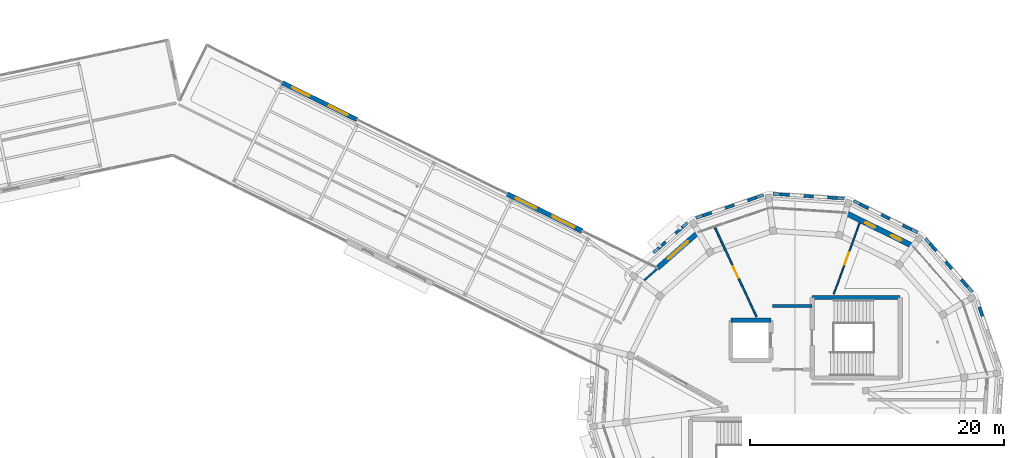
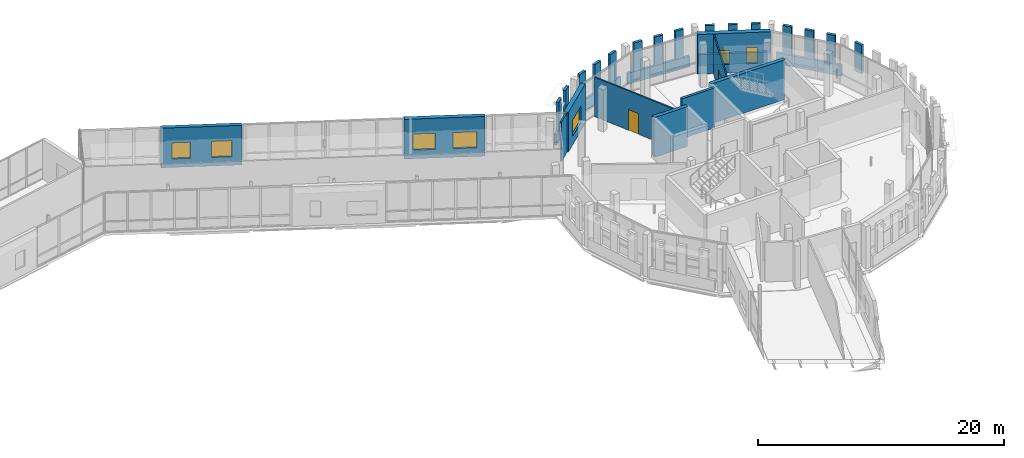
# One storey, part 103 of 125: 30 walls, 7 windows, 2 doors, 9 openings.
"""IFC4 building model written with IfcOpenShell, lengths in metres."""

import ifcopenshell
import ifcopenshell.guid

model = None  # the IFC model being written
_history = None  # IfcOwnerHistory: only IFC2X3 demands one
_inside = {}  # id of a spatial element -> (the spatial element, [elements in it])
_under = {}  # id of a project, library or spatial element -> (it, [spatial elements below it])
_declared = {}  # id of a project -> (the project, [libraries it declares])
_typed = {}  # id of a type object -> (the type object, [elements of that type])
_made_of = {}  # id of a material, layer set ... -> (it, [elements and type objects made of it])


def new_model(schema):
    """Start an empty IFC model of exactly this schema.

    Asked for "IFC4X3", IfcOpenShell would pick the latest addendum, in which some entities
    have other attributes; the version numbers below select the first issue.
    IFC2X3 requires an IfcOwnerHistory on every rooted entity: one is made here for all.
    """
    global model, _history
    if schema == "IFC4X3":
        model = ifcopenshell.file(schema_version=(4, 3, 0, 0))
    else:
        model = ifcopenshell.file(schema=schema)
    _inside.clear()
    _under.clear()
    _declared.clear()
    _typed.clear()
    _made_of.clear()
    _history = None
    if model.schema == "IFC2X3":
        org = make("IfcOrganization", Name="unknown")
        user = make(
            "IfcPersonAndOrganization",
            ThePerson=make("IfcPerson", FamilyName="unknown"),
            TheOrganization=org,
        )
        app = make(
            "IfcApplication",
            ApplicationDeveloper=org,
            Version="unknown",
            ApplicationFullName="unknown",
            ApplicationIdentifier="unknown",
        )
        _history = make(
            "IfcOwnerHistory",
            OwningUser=user,
            OwningApplication=app,
            ChangeAction="ADDED",
            CreationDate=0,
        )
    return model


def make(cls, **values):
    """One entity of the class cls with the attributes given. An attribute that is None is left unset."""
    return model.create_entity(
        cls, **{name: value for name, value in values.items() if value is not None}
    )


def rooted(cls, **values):
    """An entity with a GlobalId (a new one), such as an element, a storey or a relation."""
    return make(cls, GlobalId=ifcopenshell.guid.new(), OwnerHistory=_history, **values)


def si_unit(unit_type, name, prefix=None):
    """IfcSIUnit, for example si_unit("LENGTHUNIT", "METRE", prefix="MILLI")."""
    return make("IfcSIUnit", UnitType=unit_type, Prefix=prefix, Name=name)


def assignment(units):
    """IfcUnitAssignment: the units of a project."""
    return None if units is None else make("IfcUnitAssignment", Units=units)


def point(xyz):
    """IfcCartesianPoint."""
    return None if xyz is None else make("IfcCartesianPoint", Coordinates=xyz)


def direction(xyz):
    """IfcDirection."""
    return None if xyz is None else make("IfcDirection", DirectionRatios=xyz)


def frame(location, z_axis=None, x_axis=None):
    """IfcAxis2Placement3D, a coordinate frame: its origin and axes. An axis left out is left unset."""
    return make(
        "IfcAxis2Placement3D",
        Location=point(location),
        Axis=direction(z_axis),
        RefDirection=direction(x_axis),
    )


def frame_2d(location, x_axis=None):
    """IfcAxis2Placement2D, a coordinate frame in the plane: its origin and x axis."""
    return make(
        "IfcAxis2Placement2D", Location=point(location), RefDirection=direction(x_axis)
    )


def origin():
    """The frame at (0, 0, 0) with its axes left unset."""
    return frame((0.0, 0.0, 0.0))


def place(relative_to, where):
    """IfcLocalPlacement: puts the frame where relative to a parent placement (None: the world)."""
    return make(
        "IfcLocalPlacement", PlacementRelTo=relative_to, RelativePlacement=where
    )


def context(
    kind, dimensions, precision=None, world=None, true_north=None, identifier=None
):
    """IfcGeometricRepresentationContext, for example the 3D "Model" context."""
    return make(
        "IfcGeometricRepresentationContext",
        ContextIdentifier=identifier,
        ContextType=kind,
        CoordinateSpaceDimension=dimensions,
        Precision=precision,
        WorldCoordinateSystem=world,
        TrueNorth=true_north,
    )


def subcontext(parent, identifier, kind, view, scale=None):
    """IfcGeometricRepresentationSubContext, for example "Body" below "Model"."""
    return make(
        "IfcGeometricRepresentationSubContext",
        ContextIdentifier=identifier,
        ContextType=kind,
        ParentContext=parent,
        TargetScale=scale,
        TargetView=view,
    )


def project(units=None, contexts=None):
    """IfcProject with its units and contexts."""
    return rooted(
        "IfcProject",
        Name="project",
        RepresentationContexts=contexts,
        UnitsInContext=assignment(units),
    )


def spatial(cls, under=None, at=None, **own):
    """A site, building, storey or space (cls), placed at a placement, below another one or the project."""
    s = rooted(cls, ObjectPlacement=at, **own)
    if under is not None:
        _under.setdefault(under.id(), (under, []))[1].append(s)
    return s


def profile(cls, at=None, kind="AREA", **sizes):
    """A parametric profile (cls). Its sizes go by their IFC names, for example OverallWidth=200.0."""
    return make(cls, ProfileType=kind, Position=at, **sizes)


def rectangle(**sizes):
    """IfcRectangleProfileDef."""
    return profile("IfcRectangleProfileDef", **sizes)


def extrude(swept, where, along, depth):
    """IfcExtrudedAreaSolid: the profile swept, set in the frame where, extruded along a direction by depth."""
    return make(
        "IfcExtrudedAreaSolid",
        SweptArea=swept,
        Position=where,
        ExtrudedDirection=direction(along),
        Depth=depth,
    )


def shape(context_of_items, identifier, shape_type, items):
    """IfcShapeRepresentation: the items that make up one representation, for example the "Body"."""
    return make(
        "IfcShapeRepresentation",
        ContextOfItems=context_of_items,
        RepresentationIdentifier=identifier,
        RepresentationType=shape_type,
        Items=items,
    )


def material(Name=None, Category=None):
    """IfcMaterial."""
    return make("IfcMaterial", Name=Name, Category=Category)


def layer(
    of_material, thickness, ventilated=None, Name=None, Category=None, Priority=None
):
    """IfcMaterialLayer: one layer of a wall or slab, of a material (None: an air gap)."""
    return make(
        "IfcMaterialLayer",
        Material=of_material,
        LayerThickness=thickness,
        IsVentilated=ventilated,
        Name=Name,
        Category=Category,
        Priority=Priority,
    )


def layer_set(layers, Name=None):
    """IfcMaterialLayerSet."""
    return make("IfcMaterialLayerSet", MaterialLayers=layers, LayerSetName=Name)


def made_of(thing, what):
    """Note that an element or type object is made of a material, layer set ...; save() writes the relation."""
    if what is not None:
        _made_of.setdefault(what.id(), (what, []))[1].append(thing)
    return thing


def type_object(cls, material=None, **own):
    """A type object (cls), such as IfcWallType, which elements share."""
    return made_of(rooted(cls, **own), material)


def element(
    cls,
    number,
    at=None,
    inside=None,
    cuts=None,
    type_object=None,
    material=None,
    context=None,
    identifier="Body",
    shape_type=None,
    held_by="IfcProductDefinitionShape",
    body=None,
    shapes=None,
    **own,
):
    """One element of the class cls, such as IfcWall. Its Tag is "e" and its number.

    at: its placement. inside: the storey or other place that contains it. cuts: it is an
    opening in that element (IfcRelVoidsElement). A single representation is given by context,
    identifier, shape_type and body (its items); several are given by shapes. held_by: the class
    of the entity that holds the representations. save() writes the other relations.
    """
    e = rooted(cls, Tag="e%d" % number, ObjectPlacement=at, **own)
    if body is not None:
        shapes = [shape(context, identifier, shape_type, body)]
    if shapes is not None:
        e.Representation = make(held_by, Representations=shapes)
    if inside is not None:
        _inside.setdefault(inside.id(), (inside, []))[1].append(e)
    if cuts is not None:
        rooted(
            "IfcRelVoidsElement", RelatingBuildingElement=cuts, RelatedOpeningElement=e
        )
    if type_object is not None:
        _typed.setdefault(type_object.id(), (type_object, []))[1].append(e)
    return made_of(e, material)


def fill(opening, filler):
    """IfcRelFillsElement: the door or window that sits in an opening."""
    return rooted(
        "IfcRelFillsElement",
        RelatingOpeningElement=opening,
        RelatedBuildingElement=filler,
    )


def aggregate(whole, parts):
    """IfcRelAggregates: a whole, such as a stair, and the parts it consists of."""
    return rooted("IfcRelAggregates", RelatingObject=whole, RelatedObjects=parts)


def save(model, path):
    """Write the relations noted so far, then the file.

    IfcRelAggregates (storeys below a building ...), IfcRelContainedInSpatialStructure (elements
    in a storey), IfcRelDefinesByType, IfcRelAssociatesMaterial and IfcRelDeclares: one each for
    every whole, place, type object, material and project.
    """
    for whole, parts in _under.values():
        aggregate(whole, parts)
    for where, things in _inside.values():
        rooted(
            "IfcRelContainedInSpatialStructure",
            RelatedElements=things,
            RelatingStructure=where,
        )
    for kind, things in _typed.values():
        rooted("IfcRelDefinesByType", RelatedObjects=things, RelatingType=kind)
    for what, things in _made_of.values():
        rooted("IfcRelAssociatesMaterial", RelatedObjects=things, RelatingMaterial=what)
    for by, libraries in _declared.values():
        rooted("IfcRelDeclares", RelatingContext=by, RelatedDefinitions=libraries)
    model.write(path)


model = new_model("IFC4")

# Units and contexts
model_context = context("Model", 3, precision=1e-05, world=origin(), true_north=direction((0.0, 1.0)))
body_context = subcontext(model_context, "Body", "Model", "MODEL_VIEW")
ifc_project = project(units=[si_unit("LENGTHUNIT", "METRE"), si_unit("AREAUNIT", "SQUARE_METRE"), si_unit("VOLUMEUNIT", "CUBIC_METRE"), si_unit("PLANEANGLEUNIT", "RADIAN"), si_unit("MASSUNIT", "GRAM", prefix="KILO")], contexts=[model_context])

# Site, building, storey
site_placement = place(None, origin())
site = spatial("IfcSite", under=ifc_project, at=site_placement, CompositionType="ELEMENT")
building_placement = place(site_placement, origin())
building = spatial("IfcBuilding", under=site, at=building_placement, Name="Wrenclough Park School", CompositionType="ELEMENT")
storey_placement = place(building_placement, frame((0.0, 0.0, 4.199951171875)))
storey = spatial("IfcBuildingStorey", under=building, at=storey_placement, Name="L01", CompositionType="ELEMENT", Elevation=4.199951171875)

# Walls
ifc_material_1 = material(Name="Perforated open-bond Staffordshire and Manchester brick screen pier", Category="masonry")
ifc_layer_1 = layer(ifc_material_1, 0.2451171875)
ifc_layer_set_1 = layer_set([ifc_layer_1], Name="Perforated open-bond Staffordshire and Manchester brick screen pier")
wall_type_1 = type_object("IfcWallType", Name="ENV-BS-PR245", PredefinedType="ELEMENTEDWALL", material=ifc_layer_set_1)
for number, where, z_axis, x_axis, name in (
    (1, (189.265380859375, 100.093505859375, 1.090087890625), (0.0, 0.0, 1.0), (-0.321620473335, 0.946868666253, 0.0), "D5 L01 perforated brick screen pier 0352"),
    (2, (188.093994140625, 102.418701171875, 1.090087890625), (0.0, 0.0, 1.0), (-0.659323125798, 0.751859704857, 0.0), "D5 L01 perforated brick screen pier 0353"),
):
    element("IfcWall", number, at=place(storey_placement, frame(where, z_axis=z_axis, x_axis=x_axis)), inside=storey, type_object=wall_type_1, Name=name, PredefinedType="ELEMENTEDWALL", context=body_context, shape_type="SweptSolid", body=[
        extrude(rectangle(XDim=0.759765625, YDim=0.2451171875, at=frame_2d((0.3798828125, 0.0))), origin(), (0.0, 0.0, 1.0), 2.849853515625),
    ])
wall_1_placement = place(storey_placement, frame((186.856201171875, 103.830078125, 1.090087890625), z_axis=(0.0, 0.0, 1.0), x_axis=(-0.659345470196, 0.751840109951, 0.0)))
element("IfcWall", 3, at=wall_1_placement, inside=storey, type_object=wall_type_1, Name="D5 L01 perforated brick screen pier 0354", PredefinedType="ELEMENTEDWALL", context=body_context, shape_type="SweptSolid", body=[
    extrude(rectangle(XDim=0.76025390625, YDim=0.2451171875, at=frame_2d((0.380126953125, 0.0))), origin(), (0.0, 0.0, 1.0), 2.849853515625),
])
for number, where, z_axis, x_axis, name in (
    (4, (185.618408203125, 105.24169921875, 1.090087890625), (0.0, 0.0, 1.0), (-0.659504701015, 0.751700438565, 0.0), "D5 L01 perforated brick screen pier 0355"),
    (5, (183.646240234375, 106.94189453125, 1.090087890625), (0.0, 0.0, 1.0), (-0.896855160379, 0.442324339485, 0.0), "D5 L01 perforated brick screen pier 0356"),
    (6, (181.96240234375, 107.7724609375, 1.090087890625), (0.0, 0.0, 1.0), (-0.896855160379, 0.442324339485, 0.0), "D5 L01 perforated brick screen pier 0357"),
    (7, (180.2783203125, 108.602783203125, 1.090087890625), (0.0, 0.0, 1.0), (-0.896855160379, 0.442324339485, 0.0), "D5 L01 perforated brick screen pier 0358"),
    (8, (177.8056640625, 109.4189453125, 1.090087890625), (0.0, 0.0, 1.0), (-0.997850066036, 0.065538124105, 0.0), "D5 L01 perforated brick screen pier 0359"),
    (9, (175.93212890625, 109.541748046875, 1.090087890625), (0.0, 0.0, 1.0), (-0.997850066036, 0.065538124105, 0.0), "D5 L01 perforated brick screen pier 0360"),
    (10, (174.05859375, 109.66455078125, 1.090087890625), (0.0, 0.0, 1.0), (-0.997850066036, 0.065538124105, 0.0), "D5 L01 perforated brick screen pier 0361"),
    (11, (171.462158203125, 109.47216796875, 1.090087890625), (0.0, 0.0, 1.0), (-0.946901886192, -0.321522655386, 0.0), "D5 L01 perforated brick screen pier 0362"),
    (12, (169.684326171875, 108.86865234375, 1.090087890625), (0.0, 0.0, 1.0), (-0.946999642396, -0.32123461411, 0.0), "D5 L01 perforated brick screen pier 0363"),
):
    element("IfcWall", number, at=place(storey_placement, frame(where, z_axis=z_axis, x_axis=x_axis)), inside=storey, type_object=wall_type_1, Name=name, PredefinedType="ELEMENTEDWALL", context=body_context, shape_type="SweptSolid", body=[
        extrude(rectangle(XDim=0.760009765625, YDim=0.2451171875, at=frame_2d((0.3798828125, 0.0))), origin(), (0.0, 0.0, 1.0), 2.849853515625),
    ])
wall_2_placement = place(storey_placement, frame((167.906494140625, 108.265380859375, 1.090087890625), z_axis=(0.0, 0.0, 1.0), x_axis=(-0.946868666253, -0.321620473335, 0.0)))
element("IfcWall", 13, at=wall_2_placement, inside=storey, type_object=wall_type_1, Name="D5 L01 perforated brick screen pier 0364", PredefinedType="ELEMENTEDWALL", context=body_context, shape_type="SweptSolid", body=[
    extrude(rectangle(XDim=0.759765625, YDim=0.2451171875, at=frame_2d((0.3798828125, 0.0))), origin(), (0.0, 0.0, 1.0), 2.849853515625),
])
wall_3_placement = place(storey_placement, frame((165.612548828125, 107.12158203125, 1.090087890625), z_axis=(0.0, 0.0, 1.0), x_axis=(-0.751787503055, -0.659405452093, 0.0)))
element("IfcWall", 14, at=wall_3_placement, inside=storey, type_object=wall_type_1, Name="D5 L01 perforated brick screen pier 0365", PredefinedType="ELEMENTEDWALL", context=body_context, shape_type="SweptSolid", body=[
    extrude(rectangle(XDim=0.747802734375, YDim=0.2451171875, at=frame_2d((0.3740234375, 0.0))), origin(), (0.0, 0.0, 1.0), 2.849853515625),
])
wall_4_placement = place(storey_placement, frame((164.272705078125, 105.9462890625, 1.090087890625), z_axis=(0.0, 0.0, 1.0), x_axis=(-0.751929391285, -0.659243650346, 0.0)))
element("IfcWall", 15, at=wall_4_placement, inside=storey, type_object=wall_type_1, Name="D5 L01 perforated brick screen pier 0366", PredefinedType="ELEMENTEDWALL", context=body_context, shape_type="SweptSolid", body=[
    extrude(rectangle(XDim=0.748046875, YDim=0.2451171875, at=frame_2d((0.3740234375, 0.0))), origin(), (0.0, 0.0, 1.0), 2.849853515625),
])
ifc_material_2 = material(Name="Open-bond Manchester multi-stock brick spandrel screen", Category="masonry")
ifc_layer_2 = layer(ifc_material_2, 0.22509765625)
ifc_layer_set_2 = layer_set([ifc_layer_2], Name="Open-bond Manchester multi-stock brick spandrel screen")
wall_type_2 = type_object("IfcWallType", Name="ENV-BS-SP225", PredefinedType="ELEMENTEDWALL", material=ifc_layer_set_2)
wall_5_placement = place(storey_placement, frame((188.46240234375, 101.998779296875, 0.0), z_axis=(0.0, 0.0, 1.0), x_axis=(-0.659363462551, 0.751824330714, 0.0)))
element("IfcWall", 16, at=wall_5_placement, inside=storey, type_object=wall_type_2, Name="D5 L01 open-bond brick screen spandrel 0097", PredefinedType="ELEMENTEDWALL", context=body_context, shape_type="SweptSolid", body=[
    extrude(rectangle(XDim=5.632080078125, YDim=0.22509765625, at=frame_2d((2.81591796875, 0.0))), origin(), (0.0, 0.0, 1.0), 1.090087890625),
])
wall_6_placement = place(storey_placement, frame((184.1474609375, 106.69482421875, 0.0), z_axis=(0.0, 0.0, 1.0), x_axis=(-0.896858387366, 0.442317796398, 0.0)))
element("IfcWall", 17, at=wall_6_placement, inside=storey, type_object=wall_type_2, Name="D5 L01 open-bond brick screen spandrel 0098", PredefinedType="ELEMENTEDWALL", context=body_context, shape_type="SweptSolid", body=[
    extrude(rectangle(XDim=5.6328125, YDim=0.22509765625, at=frame_2d((2.81640625, 0.0))), origin(), (0.0, 0.0, 1.0), 1.090087890625),
])
for number, where, z_axis, x_axis, name in (
    (18, (178.36328125, 109.38232421875, 0.0), (0.0, 0.0, 1.0), (-0.997858572607, 0.065408478609, 0.0), "D5 L01 open-bond brick screen spandrel 0099"),
    (19, (171.9912109375, 109.65185546875, 0.0), (0.0, 0.0, 1.0), (-0.946926405411, -0.321450435893, 0.0), "D5 L01 open-bond brick screen spandrel 0100"),
):
    element("IfcWall", number, at=place(storey_placement, frame(where, z_axis=z_axis, x_axis=x_axis)), inside=storey, type_object=wall_type_2, Name=name, PredefinedType="ELEMENTEDWALL", context=body_context, shape_type="SweptSolid", body=[
        extrude(rectangle(XDim=5.63232421875, YDim=0.22509765625, at=frame_2d((2.816162109375, 0.0))), origin(), (0.0, 0.0, 1.0), 1.090087890625),
    ])
wall_7_placement = place(storey_placement, frame((166.001220703125, 107.46240234375, 0.0), z_axis=(0.0, 0.0, 1.0), x_axis=(-0.751829405296, -0.659357676328, 0.0)))
element("IfcWall", 20, at=wall_7_placement, inside=storey, type_object=wall_type_2, Name="D5 L01 open-bond brick screen spandrel 0101", PredefinedType="ELEMENTEDWALL", context=body_context, shape_type="SweptSolid", body=[
    extrude(rectangle(XDim=3.564208984375, YDim=0.22509765625, at=frame_2d((1.7822265625, 0.0))), origin(), (0.0, 0.0, 1.0), 1.090087890625),
])

# Wall, openings, windows
ifc_material_3 = material(Name="Staffordshire blue-grey brick and Concrete C35/45 inner leaf", Category="masonry")
ifc_layer_3 = layer(ifc_material_3, 0.35009765625)
ifc_layer_set_3 = layer_set([ifc_layer_3], Name="Staffordshire blue-grey brick and Concrete C35/45 inner leaf")
wall_type_3 = type_object("IfcWallType", Name="ENV-EW-350", PredefinedType="SOLIDWALL", material=ifc_layer_set_3)
wall_8_placement = place(storey_placement, frame((134.0146484375, 118.532470703125, 0.0), z_axis=(0.0, 0.0, 1.0), x_axis=(0.896260258603, -0.443528520897, 0.0)))
wall_8 = element("IfcWall", 21, at=wall_8_placement, inside=storey, type_object=wall_type_3, Name="L01 insulated brick external wall 0090", PredefinedType="SOLIDWALL", context=body_context, shape_type="SweptSolid", body=[
    extrude(rectangle(XDim=6.60546875, YDim=0.35009765625, at=frame_2d((3.302734375, 0.0))), origin(), (0.0, 0.0, 1.0), 3.93994140625),
])
opening_1_placement = place(wall_8_placement, frame((0.9013671875, 0.0, 0.85009765625)))
opening_1 = element("IfcOpeningElement", 22, at=opening_1_placement, cuts=wall_8, Name="Opening WN-17", PredefinedType="OPENING", context=body_context, shape_type="SweptSolid", body=[
    extrude(rectangle(XDim=1.5, YDim=1.60009765625, at=frame_2d((0.75, 0.800048828125))), frame((0.0, 0.18505859375, 0.0), z_axis=(0.0, -1.0, 0.0), x_axis=(1.0, 0.0, 0.0)), (0.0, 0.0, 1.0), 0.3701171875),
])
opening_2_placement = place(wall_8_placement, frame((4.12890625, 0.0, 0.85009765625)))
opening_2 = element("IfcOpeningElement", 23, at=opening_2_placement, cuts=wall_8, Name="Opening WN-18", PredefinedType="OPENING", context=body_context, shape_type="SweptSolid", body=[
    extrude(rectangle(XDim=1.64990234375, YDim=1.60009765625, at=frame_2d((0.824951171875, 0.800048828125))), frame((0.0, 0.18505859375, 0.0), z_axis=(0.0, -1.0, 0.0), x_axis=(1.0, 0.0, 0.0)), (0.0, 0.0, 1.0), 0.3701171875),
])
ifc_material_4 = material(Name="Thermally broken aluminium and double-glazed low-e glass", Category="aluminium")
window_type_1 = type_object("IfcWindowType", Name="ENV-WN-17", PartitioningType="DOUBLE_PANEL_VERTICAL", PredefinedType="WINDOW", material=ifc_material_4)
window_1_placement = place(opening_1_placement, origin())
window_1 = element("IfcWindow", 24, at=window_1_placement, inside=storey, type_object=window_type_1, Name="L01 scheduled facade window 0128", OverallHeight=1.60009765625, OverallWidth=1.5, PartitioningType="SINGLE_PANEL", PredefinedType="WINDOW", context=body_context, shape_type="SweptSolid", body=[
    extrude(rectangle(XDim=1.5, YDim=1.60009765625, at=frame_2d((0.75, 0.800048828125))), frame((0.0, 0.030029296875, 0.0), z_axis=(0.0, -1.0, 0.0), x_axis=(1.0, 0.0, 0.0)), (0.0, 0.0, 1.0), 0.06005859375),
])
fill(opening_1, window_1)
window_type_2 = type_object("IfcWindowType", Name="ENV-WN-18", PartitioningType="DOUBLE_PANEL_VERTICAL", PredefinedType="WINDOW", material=ifc_material_4)
window_2_placement = place(opening_2_placement, origin())
window_2 = element("IfcWindow", 25, at=window_2_placement, inside=storey, type_object=window_type_2, Name="L01 scheduled facade window 0129", OverallHeight=1.60009765625, OverallWidth=1.64990234375, PartitioningType="SINGLE_PANEL", PredefinedType="WINDOW", context=body_context, shape_type="SweptSolid", body=[
    extrude(rectangle(XDim=1.64990234375, YDim=1.60009765625, at=frame_2d((0.824951171875, 0.800048828125))), frame((0.0, 0.030029296875, 0.0), z_axis=(0.0, -1.0, 0.0), x_axis=(1.0, 0.0, 0.0)), (0.0, 0.0, 1.0), 0.06005859375),
])
fill(opening_2, window_2)

ifc_material_5 = material(Name="Manchester multi-stock brick and Concrete C35/45 inner leaf", Category="masonry")
ifc_layer_4 = layer(ifc_material_5, 0.3798828125)
ifc_layer_set_4 = layer_set([ifc_layer_4], Name="Manchester multi-stock brick and Concrete C35/45 inner leaf")
wall_type_4 = type_object("IfcWallType", Name="ENV-EW-380", PredefinedType="SOLIDWALL", material=ifc_layer_set_4)
wall_9_placement = place(storey_placement, frame((151.775390625, 109.74365234375, 0.0), z_axis=(0.0, 0.0, 1.0), x_axis=(0.896274950862, -0.443498830277, 0.0)))
wall_9 = element("IfcWall", 26, at=wall_9_placement, inside=storey, type_object=wall_type_4, Name="L01 insulated brick external wall 0091", PredefinedType="SOLIDWALL", context=body_context, shape_type="SweptSolid", body=[
    extrude(rectangle(XDim=6.605224609375, YDim=0.3798828125, at=frame_2d((3.302734375, 0.0))), origin(), (0.0, 0.0, 1.0), 3.93994140625),
])
opening_3_placement = place(wall_9_placement, frame((0.751220703125, 0.0, 0.85009765625)))
opening_3 = element("IfcOpeningElement", 27, at=opening_3_placement, cuts=wall_9, Name="Opening WN-19", PredefinedType="OPENING", context=body_context, shape_type="SweptSolid", body=[
    extrude(rectangle(XDim=1.800048828125, YDim=1.60009765625, at=frame_2d((0.89990234375, 0.800048828125))), frame((0.0, 0.199951171875, 0.0), z_axis=(0.0, -1.0, 0.0), x_axis=(1.0, 0.0, 0.0)), (0.0, 0.0, 1.0), 0.39990234375),
])
opening_4_placement = place(wall_9_placement, frame((3.97900390625, 0.0, 0.85009765625)))
opening_4 = element("IfcOpeningElement", 28, at=opening_4_placement, cuts=wall_9, Name="Opening WN-20", PredefinedType="OPENING", context=body_context, shape_type="SweptSolid", body=[
    extrude(rectangle(XDim=1.949951171875, YDim=1.60009765625, at=frame_2d((0.97509765625, 0.800048828125))), frame((0.0, 0.199951171875, 0.0), z_axis=(0.0, -1.0, 0.0), x_axis=(1.0, 0.0, 0.0)), (0.0, 0.0, 1.0), 0.39990234375),
])
window_type_3 = type_object("IfcWindowType", Name="ENV-WN-19", PartitioningType="DOUBLE_PANEL_VERTICAL", PredefinedType="WINDOW", material=ifc_material_4)
window_3_placement = place(opening_3_placement, origin())
window_3 = element("IfcWindow", 29, at=window_3_placement, inside=storey, type_object=window_type_3, Name="L01 scheduled facade window 0130", OverallHeight=1.60009765625, OverallWidth=1.800048828125, PartitioningType="SINGLE_PANEL", PredefinedType="WINDOW", context=body_context, shape_type="SweptSolid", body=[
    extrude(rectangle(XDim=1.800048828125, YDim=1.60009765625, at=frame_2d((0.89990234375, 0.800048828125))), frame((0.0, 0.030029296875, 0.0), z_axis=(0.0, -1.0, 0.0), x_axis=(1.0, 0.0, 0.0)), (0.0, 0.0, 1.0), 0.06005859375),
])
fill(opening_3, window_3)
window_type_4 = type_object("IfcWindowType", Name="ENV-WN-20", PartitioningType="DOUBLE_PANEL_VERTICAL", PredefinedType="WINDOW", material=ifc_material_4)
window_4_placement = place(opening_4_placement, origin())
window_4 = element("IfcWindow", 30, at=window_4_placement, inside=storey, type_object=window_type_4, Name="L01 scheduled facade window 0131", OverallHeight=1.60009765625, OverallWidth=1.949951171875, PartitioningType="SINGLE_PANEL", PredefinedType="WINDOW", context=body_context, shape_type="SweptSolid", body=[
    extrude(rectangle(XDim=1.949951171875, YDim=1.60009765625, at=frame_2d((0.97509765625, 0.800048828125))), frame((0.0, 0.030029296875, 0.0), z_axis=(0.0, -1.0, 0.0), x_axis=(1.0, 0.0, 0.0)), (0.0, 0.0, 1.0), 0.06005859375),
])
fill(opening_4, window_4)

# Wall, opening, window
ifc_material_6 = material(Name="Staffordshire blue-grey brick and Concrete C40/50 acoustic leaf", Category="masonry")
ifc_layer_5 = layer(ifc_material_6, 0.39990234375)
ifc_layer_set_5 = layer_set([ifc_layer_5], Name="Staffordshire blue-grey brick and Concrete C40/50 acoustic leaf")
wall_type_5 = type_object("IfcWallType", Name="ENV-EW-400", PredefinedType="SOLIDWALL", material=ifc_layer_set_5)
wall_10_placement = place(storey_placement, frame((163.61572265625, 103.884521484375, 0.0), z_axis=(0.0, 0.0, 1.0), x_axis=(0.751801904745, 0.659389032379, 0.0)))
wall_10 = element("IfcWall", 31, at=wall_10_placement, inside=storey, type_object=wall_type_5, Name="L01 insulated brick external wall 0092", PredefinedType="SOLIDWALL", context=body_context, shape_type="SweptSolid", body=[
    extrude(rectangle(XDim=4.31689453125, YDim=0.39990234375, at=frame_2d((2.158447265625, 0.0))), origin(), (0.0, 0.0, 1.0), 3.93994140625),
])
opening_5_placement = place(wall_10_placement, frame((1.1083984375, 0.0, 0.85009765625)))
opening_5 = element("IfcOpeningElement", 32, at=opening_5_placement, cuts=wall_10, Name="Opening WN-21", PredefinedType="OPENING", context=body_context, shape_type="SweptSolid", body=[
    extrude(rectangle(XDim=2.10009765625, YDim=1.60009765625, at=frame_2d((1.050048828125, 0.800048828125))), frame((0.0, 0.2099609375, 0.0), z_axis=(0.0, -1.0, 0.0), x_axis=(1.0, 0.0, 0.0)), (0.0, 0.0, 1.0), 0.419921875),
])
window_type_5 = type_object("IfcWindowType", Name="ENV-WN-21", PartitioningType="DOUBLE_PANEL_VERTICAL", PredefinedType="WINDOW", material=ifc_material_4)
window_5_placement = place(opening_5_placement, origin())
window_5 = element("IfcWindow", 33, at=window_5_placement, inside=storey, type_object=window_type_5, Name="L01 scheduled facade window 0132", OverallHeight=1.60009765625, OverallWidth=2.10009765625, PartitioningType="SINGLE_PANEL", PredefinedType="WINDOW", context=body_context, shape_type="SweptSolid", body=[
    extrude(rectangle(XDim=2.10009765625, YDim=1.60009765625, at=frame_2d((1.050048828125, 0.800048828125))), frame((0.0, 0.030029296875, 0.0), z_axis=(0.0, -1.0, 0.0), x_axis=(1.0, 0.0, 0.0)), (0.0, 0.0, 1.0), 0.06005859375),
])
fill(opening_5, window_5)

# Wall, openings, windows
ifc_material_7 = material(Name="Insulated brick-clad sports hall wall Concrete C40/50", Category="masonry")
ifc_layer_6 = layer(ifc_material_7, 0.425048828125)
ifc_layer_set_6 = layer_set([ifc_layer_6], Name="Insulated brick-clad sports hall wall Concrete C40/50")
wall_type_6 = type_object("IfcWallType", Name="ENV-EW-425", PredefinedType="SOLIDWALL", material=ifc_layer_set_6)
wall_11_placement = place(storey_placement, frame((178.4541015625, 108.257080078125, 0.0), z_axis=(0.0, 0.0, 1.0), x_axis=(0.896879104746, -0.442275786664, 0.0)))
wall_11 = element("IfcWall", 34, at=wall_11_placement, inside=storey, type_object=wall_type_6, Name="L01 insulated brick external wall 0093", PredefinedType="SOLIDWALL", context=body_context, shape_type="SweptSolid", body=[
    extrude(rectangle(XDim=5.961181640625, YDim=0.425048828125, at=frame_2d((2.98046875, 0.0))), origin(), (0.0, 0.0, 1.0), 3.93994140625),
])
opening_6_placement = place(wall_11_placement, frame((1.780517578125, 0.0, 0.85009765625)))
opening_6 = element("IfcOpeningElement", 35, at=opening_6_placement, cuts=wall_11, Name="Opening WN-01", PredefinedType="OPENING", context=body_context, shape_type="SweptSolid", body=[
    extrude(rectangle(XDim=0.85009765625, YDim=1.39990234375, at=frame_2d((0.425048828125, 0.699951171875))), frame((0.0, 0.222412109375, 0.0), z_axis=(0.0, -1.0, 0.0), x_axis=(1.0, 0.0, 0.0)), (0.0, 0.0, 1.0), 0.445068359375),
])
opening_7_placement = place(wall_11_placement, frame((4.02099609375, 0.0, 0.85009765625)))
opening_7 = element("IfcOpeningElement", 36, at=opening_7_placement, cuts=wall_11, Name="Opening WN-13", PredefinedType="OPENING", context=body_context, shape_type="SweptSolid", body=[
    extrude(rectangle(XDim=0.89990234375, YDim=1.60009765625, at=frame_2d((0.449951171875, 0.800048828125))), frame((0.0, 0.222412109375, 0.0), z_axis=(0.0, -1.0, 0.0), x_axis=(1.0, 0.0, 0.0)), (0.0, 0.0, 1.0), 0.445068359375),
])
window_type_6 = type_object("IfcWindowType", Name="ENV-WN-01", PartitioningType="SINGLE_PANEL", PredefinedType="WINDOW", material=ifc_material_4)
window_6_placement = place(opening_6_placement, origin())
window_6 = element("IfcWindow", 37, at=window_6_placement, inside=storey, type_object=window_type_6, Name="L01 scheduled facade window 0133", OverallHeight=1.39990234375, OverallWidth=0.85009765625, PartitioningType="SINGLE_PANEL", PredefinedType="WINDOW", context=body_context, shape_type="SweptSolid", body=[
    extrude(rectangle(XDim=0.85009765625, YDim=1.39990234375, at=frame_2d((0.425048828125, 0.699951171875))), frame((0.0, 0.030029296875, 0.0), z_axis=(0.0, -1.0, 0.0), x_axis=(1.0, 0.0, 0.0)), (0.0, 0.0, 1.0), 0.06005859375),
])
fill(opening_6, window_6)
window_type_7 = type_object("IfcWindowType", Name="ENV-WN-13", PartitioningType="SINGLE_PANEL", PredefinedType="WINDOW", material=ifc_material_4)
window_7_placement = place(opening_7_placement, origin())
window_7 = element("IfcWindow", 38, at=window_7_placement, inside=storey, type_object=window_type_7, Name="L01 scheduled facade window 0134", OverallHeight=1.60009765625, OverallWidth=0.89990234375, PartitioningType="SINGLE_PANEL", PredefinedType="WINDOW", context=body_context, shape_type="SweptSolid", body=[
    extrude(rectangle(XDim=0.89990234375, YDim=1.60009765625, at=frame_2d((0.449951171875, 0.800048828125))), frame((0.0, 0.030029296875, 0.0), z_axis=(0.0, -1.0, 0.0), x_axis=(1.0, 0.0, 0.0)), (0.0, 0.0, 1.0), 0.06005859375),
])
fill(opening_7, window_7)

# Walls
ifc_material_8 = material(Name="Concrete C35/45", Category="concrete")
ifc_layer_7 = layer(ifc_material_8, 0.25)
ifc_layer_set_7 = layer_set([ifc_layer_7], Name="Concrete C35/45")
wall_type_7 = type_object("IfcWallType", Name="INT-CW-250", PredefinedType="SHEAR", material=ifc_layer_set_7)
wall_12_placement = place(storey_placement, frame((175.800048828125, 100.89990234375, 0.0), z_axis=(0.0, 0.0, 1.0), x_axis=(-1.0, 0.0, 0.0)))
element("IfcWall", 39, at=wall_12_placement, inside=storey, type_object=wall_type_7, Name="Core C6 L01 lobby fire wall north", PredefinedType="SHEAR", context=body_context, shape_type="SweptSolid", body=[
    extrude(rectangle(XDim=3.10009765625, YDim=0.25, at=frame_2d((1.550048828125, 0.0))), origin(), (0.0, 0.0, 1.0), 3.949951171875),
])
ifc_material_9 = material(Name="Concrete C40/50", Category="concrete")
ifc_layer_8 = layer(ifc_material_9, 0.340087890625)
ifc_layer_set_8 = layer_set([ifc_layer_8], Name="Concrete C40/50")
wall_type_8 = type_object("IfcWallType", Name="INT-CW-340", PredefinedType="SHEAR", material=ifc_layer_set_8)
wall_13_placement = place(storey_placement, frame((182.77001953125, 101.570068359375, 0.0), z_axis=(0.0, 0.0, 1.0), x_axis=(-1.0, 0.0, 0.0)))
element("IfcWall", 40, at=wall_13_placement, inside=storey, type_object=wall_type_8, Name="Core C6 L01 north shear wall", PredefinedType="SHEAR", context=body_context, shape_type="SweptSolid", body=[
    extrude(rectangle(XDim=6.93994140625, YDim=0.340087890625, at=frame_2d((3.469970703125, 0.0))), origin(), (0.0, 0.0, 1.0), 3.949951171875),
])
wall_14_placement = place(storey_placement, frame((172.570068359375, 99.77001953125, 0.0), z_axis=(0.0, 0.0, 1.0), x_axis=(-1.0, 0.0, 0.0)))
element("IfcWall", 41, at=wall_14_placement, inside=storey, type_object=wall_type_8, Name="Lift LFT-02 L01 north shaft wall", PredefinedType="SHEAR", context=body_context, shape_type="SweptSolid", body=[
    extrude(rectangle(XDim=3.14013671875, YDim=0.340087890625, at=frame_2d((1.570068359375, 0.0))), origin(), (0.0, 0.0, 1.0), 3.949951171875),
])

# Wall, opening, door
ifc_material_10 = material(Name="Lightweight fire-rated store partition", Category="gypsum")
ifc_layer_9 = layer(ifc_material_10, 0.110107421875)
ifc_layer_set_9 = layer_set([ifc_layer_9], Name="Lightweight fire-rated store partition")
wall_type_9 = type_object("IfcWallType", Name="INT-PW-110", PredefinedType="PARTITIONING", material=ifc_layer_set_9)
wall_15_placement = place(storey_placement, frame((179.57373046875, 107.440185546875, 0.0), z_axis=(0.0, 0.0, 1.0), x_axis=(-0.342005953803, -0.939697785228, 0.0)))
wall_15 = element("IfcWall", 42, at=wall_15_placement, inside=storey, type_object=wall_type_9, Name="L01 internal partition 0268", PredefinedType="PARTITIONING", context=body_context, shape_type="SweptSolid", body=[
    extrude(rectangle(XDim=5.96484375, YDim=0.110107421875, at=frame_2d((2.982421875, 0.0))), origin(), (0.0, 0.0, 1.0), 3.9150390625),
])
opening_8_placement = place(wall_15_placement, frame((2.46240234375, 0.0, 0.0)))
opening_8 = element("IfcOpeningElement", 43, at=opening_8_placement, cuts=wall_15, Name="Opening DR-L01-049", PredefinedType="OPENING", context=body_context, shape_type="SweptSolid", body=[
    extrude(rectangle(XDim=1.0400390625, YDim=2.10009765625, at=frame_2d((0.52001953125, 1.050048828125))), frame((0.0, 0.06494140625, 0.0), z_axis=(0.0, -1.0, 0.0), x_axis=(1.0, 0.0, 0.0)), (0.0, 0.0, 1.0), 0.130126953125),
])
ifc_material_11 = material(Name="SEN accessible teaching room door assembly", Category="wood")
door_type_1 = type_object("IfcDoorType", Name="INT-DR-CL104", OperationType="NOTDEFINED", PredefinedType="DOOR", material=ifc_material_11)
door_1_placement = place(opening_8_placement, origin())
door_1 = element("IfcDoor", 44, at=door_1_placement, inside=storey, type_object=door_type_1, Name="Sixth Form Classroom 1 door DR-L01-049", OperationType="SINGLE_SWING_RIGHT", OverallHeight=2.10009765625, OverallWidth=1.0400390625, PredefinedType="DOOR", context=body_context, shape_type="SweptSolid", body=[
    extrude(rectangle(XDim=1.0400390625, YDim=2.10009765625, at=frame_2d((0.52001953125, 1.050048828125))), frame((0.0, 0.02490234375, 0.0), z_axis=(0.0, -1.0, 0.0), x_axis=(1.0, 0.0, 0.0)), (0.0, 0.0, 1.0), 0.050048828125),
])
fill(opening_8, door_1)

# Wall
ifc_material_12 = material(Name="Protected corridor partition", Category="gypsum")
ifc_layer_10 = layer(ifc_material_12, 0.14990234375)
ifc_layer_set_10 = layer_set([ifc_layer_10], Name="Protected corridor partition")
wall_type_10 = type_object("IfcWallType", Name="INT-PW-150", PredefinedType="PARTITIONING", material=ifc_layer_set_10)
wall_16_placement = place(storey_placement, frame((162.582763671875, 102.92919921875, 0.0), z_axis=(0.0, 0.0, 1.0), x_axis=(0.748261791405, 0.663403566107, 0.0)))
element("IfcWall", 45, at=wall_16_placement, inside=storey, type_object=wall_type_10, Name="L01 internal partition 0302", PredefinedType="PARTITIONING", context=body_context, shape_type="SweptSolid", body=[
    extrude(rectangle(XDim=1.326416015625, YDim=0.14990234375, at=frame_2d((0.6630859375, 0.0))), origin(), (0.0, 0.0, 1.0), 3.9150390625),
])

# Wall, opening, door
ifc_material_13 = material(Name="Moisture-resistant sanitary service wall", Category="gypsum")
ifc_layer_11 = layer(ifc_material_13, 0.139892578125)
ifc_layer_set_11 = layer_set([ifc_layer_11], Name="Moisture-resistant sanitary service wall")
wall_type_11 = type_object("IfcWallType", Name="INT-SV-140", PredefinedType="PLUMBINGWALL", material=ifc_layer_set_11)
wall_17_placement = place(storey_placement, frame((168.172119140625, 107.0703125, 0.0), z_axis=(0.0, 0.0, 1.0), x_axis=(0.422626631306, -0.906303884197, 0.0)))
wall_17 = element("IfcWall", 46, at=wall_17_placement, inside=storey, type_object=wall_type_11, Name="L01 internal partition 0270", PredefinedType="PLUMBINGWALL", context=body_context, shape_type="SweptSolid", body=[
    extrude(rectangle(XDim=7.74609375, YDim=0.139892578125, at=frame_2d((3.873046875, 0.0))), origin(), (0.0, 0.0, 1.0), 3.9150390625),
])
opening_9_placement = place(wall_17_placement, frame((3.363037109375, 0.0, 0.0)))
opening_9 = element("IfcOpeningElement", 47, at=opening_9_placement, cuts=wall_17, Name="Opening DR-L01-050", PredefinedType="OPENING", context=body_context, shape_type="SweptSolid", body=[
    extrude(rectangle(XDim=1.02001953125, YDim=2.06005859375, at=frame_2d((0.510009765625, 1.030029296875))), frame((0.0, 0.079833984375, 0.0), z_axis=(0.0, -1.0, 0.0), x_axis=(1.0, 0.0, 0.0)), (0.0, 0.0, 1.0), 0.159912109375),
])
ifc_material_14 = material(Name="Accessible WC outward-opening fire door assembly", Category="wood")
door_type_2 = type_object("IfcDoorType", Name="INT-DR-AWC102", OperationType="NOTDEFINED", PredefinedType="DOOR", material=ifc_material_14)
door_2_placement = place(opening_9_placement, frame((1.02001953125, 0.0, 0.0), z_axis=(0.0, 0.0, 1.0), x_axis=(-1.0, 0.0, 0.0)))
door_2 = element("IfcDoor", 48, at=door_2_placement, inside=storey, type_object=door_type_2, Name="Accessible WC D5 First door DR-L01-050", OperationType="SINGLE_SWING_LEFT", OverallHeight=2.06005859375, OverallWidth=1.02001953125, PredefinedType="DOOR", context=body_context, shape_type="SweptSolid", body=[
    extrude(rectangle(XDim=1.02001953125, YDim=2.06005859375, at=frame_2d((0.510009765625, 1.030029296875))), frame((0.0, 0.02490234375, 0.0), z_axis=(0.0, -1.0, 0.0), x_axis=(1.0, 0.0, 0.0)), (0.0, 0.0, 1.0), 0.050048828125),
])
fill(opening_9, door_2)

save(model, "model.ifc")
